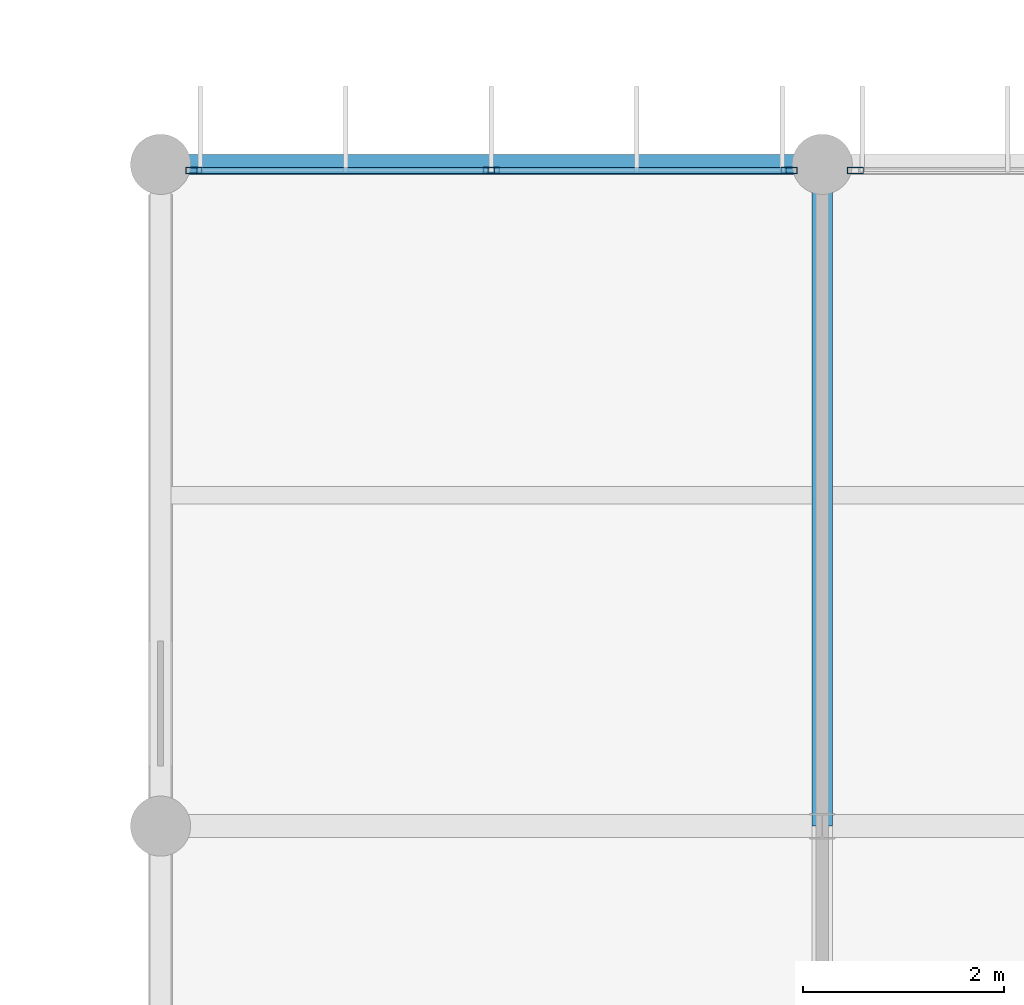
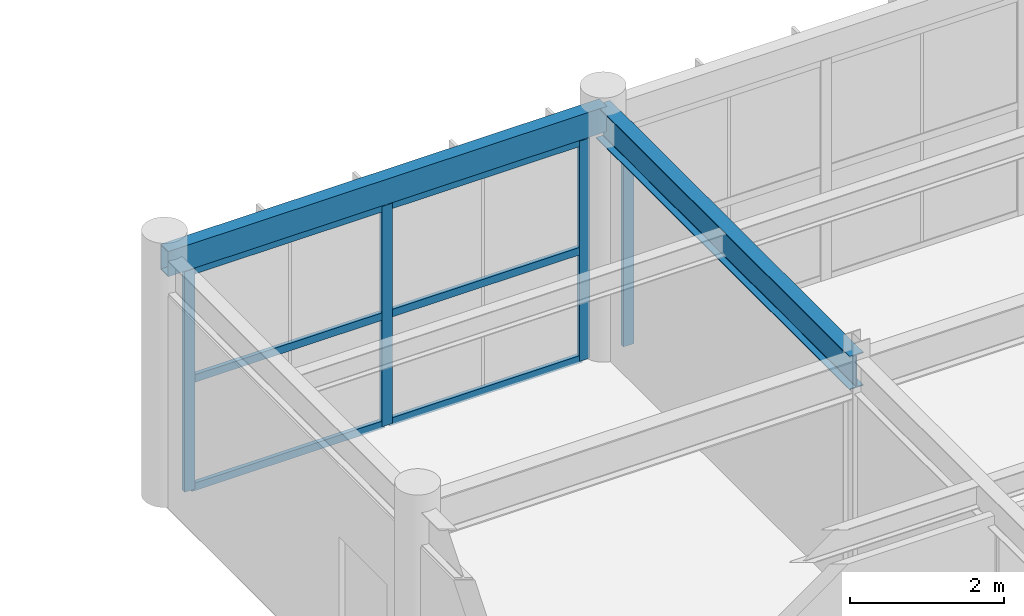
# One storey, part 19 of 66: 10 members, 2 beams, 2 elements without a shape of their own.
"""IFC4 building model written with IfcOpenShell, lengths in metres."""

from ifc_helpers import new_model, si_unit, direction, frame, origin, origin_2d, place, context, subcontext, project, spatial, hollow_rectangle, i_section, extrude, material, material_profile, profile_set, type_object, element, aggregate, save


model = new_model("IFC4")

# Units and contexts
model_context = context("Model", 3, precision=1e-05, world=origin(), true_north=direction((0.0, 1.0)))
body_context = subcontext(model_context, "Body", "Model", "MODEL_VIEW")
ifc_project = project(units=[si_unit("LENGTHUNIT", "METRE"), si_unit("AREAUNIT", "SQUARE_METRE"), si_unit("VOLUMEUNIT", "CUBIC_METRE"), si_unit("PLANEANGLEUNIT", "RADIAN"), si_unit("MASSUNIT", "GRAM", prefix="KILO")], contexts=[model_context])

# Site, building, storey
site_placement = place(None, origin())
site = spatial("IfcSite", under=ifc_project, at=site_placement, CompositionType="ELEMENT")
building_placement = place(site_placement, origin())
building = spatial("IfcBuilding", under=site, at=building_placement, Name="Karori Crest Natural Sciences Institute", CompositionType="ELEMENT")
storey_placement = place(building_placement, frame((0.0, 0.0, 30.10009765625)))
storey = spatial("IfcBuildingStorey", under=building, at=storey_placement, Name="L07", CompositionType="ELEMENT", Elevation=30.10009765625)

# Beams
ifc_material_1 = material(Name="Structural steel AS/NZS 3679.1 Grade 350", Category="steel")
ifc_material_profile_1 = material_profile(ifc_material_1, i_section(OverallWidth=0.208984375, OverallDepth=0.532958984375, WebThickness=0.01025390625, FlangeThickness=0.015625, FilletRadius=0.013916015625, at=origin_2d()), Name="530UB92.4")
ifc_profile_set_1 = profile_set([ifc_material_profile_1], Name="Structural steel AS/NZS 3679.1 Grade 350")
beam_type_1 = type_object("IfcBeamType", Name="BT-05", PredefinedType="BEAM", material=ifc_profile_set_1)
beam_1_placement = place(storey_placement, frame((110.199951171875, 14.0, 3.6533203125), z_axis=(0.0, 1.0, 0.0), x_axis=(-1.0, 0.0, 0.0)))
element("IfcBeam", 1, at=beam_1_placement, inside=storey, type_object=beam_type_1, Name="Beam B-2653", PredefinedType="BEAM", context=body_context, shape_type="SweptSolid", body=[
    extrude(i_section(OverallWidth=0.208984375, OverallDepth=0.532958984375, WebThickness=0.01025390625, FlangeThickness=0.015625, FilletRadius=0.013916015625, at=origin_2d()), origin(), (0.0, 0.0, 1.0), 6.60009765625),
])
ifc_material_2 = material(Name="Hollow structural steel AS/NZS 1163 Grade C350", Category="steel")
ifc_material_profile_2 = material_profile(ifc_material_2, hollow_rectangle(XDim=0.199951171875, YDim=0.39990234375, WallThickness=0.012451171875, at=origin_2d()), Name="RHS400x200x12.5")
ifc_profile_set_2 = profile_set([ifc_material_profile_2], Name="Hollow structural steel AS/NZS 1163 Grade C350")
beam_type_2 = type_object("IfcBeamType", Name="BT-14", PredefinedType="SPANDREL", material=ifc_profile_set_2)
beam_2_placement = place(storey_placement, frame((103.60009765625, 20.60009765625, 3.719970703125), z_axis=(1.0, 0.0, 0.0), x_axis=(0.0, 1.0, 0.0)))
element("IfcBeam", 2, at=beam_2_placement, inside=storey, type_object=beam_type_2, Name="Beam B-2640", PredefinedType="SPANDREL", context=body_context, shape_type="SweptSolid", body=[
    extrude(hollow_rectangle(XDim=0.199951171875, YDim=0.39990234375, WallThickness=0.012451171875, at=origin_2d()), origin(), (0.0, 0.0, 1.0), 6.599853515625),
])

# Curtain wall, members
ifc_material_3 = material(Name="Anodised architectural aluminium 6063-T6", Category="aluminium")
curtain_wall_type = type_object("IfcCurtainWallType", Name="CWT-20", PredefinedType="NOTDEFINED", material=ifc_material_3)
curtain_wall_1_placement = place(storey_placement, origin())
curtain_wall_1 = element("IfcCurtainWall", 3, at=curtain_wall_1_placement, inside=storey, type_object=curtain_wall_type, Name="Curtain wall CW-0357", PredefinedType="NOTDEFINED")
ifc_material_profile_3 = material_profile(ifc_material_3, hollow_rectangle(XDim=0.06494140625, YDim=0.159912109375, WallThickness=0.00390625, at=origin_2d()), Name="CWM160x65x4")
ifc_profile_set_3 = profile_set([ifc_material_profile_3], Name="Anodised architectural aluminium 6063-T6")
member_type_1 = type_object("IfcMemberType", Name="CWM-01", PredefinedType="MULLION", material=ifc_profile_set_3)
member_1_placement = place(storey_placement, frame((103.930419921875, 20.5400390625, 0.0), z_axis=(0.0, 0.0, 1.0), x_axis=(0.0, 1.0, 0.0)))
member_1 = element("IfcMember", 4, at=member_1_placement, type_object=member_type_1, Name="CW-0357 mullion 1", PredefinedType="MULLION", context=body_context, shape_type="SweptSolid", body=[
    extrude(hollow_rectangle(XDim=0.06494140625, YDim=0.159912109375, WallThickness=0.00390625, at=origin_2d()), origin(), (0.0, 0.0, 1.0), 3.5048828125),
])
member_2_placement = place(storey_placement, frame((106.89990234375, 20.5400390625, 0.0), z_axis=(0.0, 0.0, 1.0), x_axis=(0.0, 1.0, 0.0)))
member_2 = element("IfcMember", 5, at=member_2_placement, type_object=member_type_1, Name="CW-0357 mullion 2", PredefinedType="MULLION", context=body_context, shape_type="SweptSolid", body=[
    extrude(hollow_rectangle(XDim=0.06494140625, YDim=0.159912109375, WallThickness=0.00390625, at=origin_2d()), origin(), (0.0, 0.0, 1.0), 3.5048828125),
])
member_3_placement = place(storey_placement, frame((109.869384765625, 20.5400390625, 0.0), z_axis=(0.0, 0.0, 1.0), x_axis=(0.0, 1.0, 0.0)))
member_3 = element("IfcMember", 6, at=member_3_placement, type_object=member_type_1, Name="CW-0357 mullion 3", PredefinedType="MULLION", context=body_context, shape_type="SweptSolid", body=[
    extrude(hollow_rectangle(XDim=0.06494140625, YDim=0.159912109375, WallThickness=0.00390625, at=origin_2d()), origin(), (0.0, 0.0, 1.0), 3.5048828125),
])

# Curtain wall, member
curtain_wall_2_placement = place(storey_placement, origin())
curtain_wall_2 = element("IfcCurtainWall", 7, at=curtain_wall_2_placement, inside=storey, type_object=curtain_wall_type, Name="Curtain wall CW-0358", PredefinedType="NOTDEFINED")
member_4_placement = place(storey_placement, frame((110.530517578125, 20.5400390625, 0.0), z_axis=(0.0, 0.0, 1.0), x_axis=(0.0, 1.0, 0.0)))
member_4 = element("IfcMember", 8, at=member_4_placement, type_object=member_type_1, Name="CW-0358 mullion 1", PredefinedType="MULLION", context=body_context, shape_type="SweptSolid", body=[
    extrude(hollow_rectangle(XDim=0.06494140625, YDim=0.159912109375, WallThickness=0.00390625, at=origin_2d()), origin(), (0.0, 0.0, 1.0), 3.5048828125),
])
aggregate(curtain_wall_2, [member_4])

# Member
ifc_material_profile_4 = material_profile(ifc_material_3, hollow_rectangle(XDim=0.06005859375, YDim=0.1201171875, WallThickness=0.00390625, at=origin_2d()), Name="CWT120x60x4")
ifc_profile_set_4 = profile_set([ifc_material_profile_4], Name="Anodised architectural aluminium 6063-T6")
member_type_2 = type_object("IfcMemberType", Name="CWT-TR1", PredefinedType="USERDEFINED", material=ifc_profile_set_4)
member_5_placement = place(storey_placement, frame((103.962890625, 20.5400390625, 0.02978515625), z_axis=(1.0, 0.0, 0.0), x_axis=(0.0, 1.0, 0.0)))
member_5 = element("IfcMember", 9, at=member_5_placement, type_object=member_type_2, Name="CW-0357 transom 1.1", ObjectType="TRANSOM", PredefinedType="USERDEFINED", context=body_context, shape_type="SweptSolid", body=[
    extrude(hollow_rectangle(XDim=0.06005859375, YDim=0.1201171875, WallThickness=0.00390625, at=origin_2d()), origin(), (0.0, 0.0, 1.0), 2.904541015625),
])

member_6_placement = place(storey_placement, frame((103.962890625, 20.5400390625, 1.75244140625), z_axis=(1.0, 0.0, 0.0), x_axis=(0.0, 1.0, 0.0)))
member_6 = element("IfcMember", 10, at=member_6_placement, type_object=member_type_2, Name="CW-0357 transom 1.2", ObjectType="TRANSOM", PredefinedType="USERDEFINED", context=body_context, shape_type="SweptSolid", body=[
    extrude(hollow_rectangle(XDim=0.06005859375, YDim=0.1201171875, WallThickness=0.00390625, at=origin_2d()), origin(), (0.0, 0.0, 1.0), 2.904541015625),
])

member_7_placement = place(storey_placement, frame((103.962890625, 20.5400390625, 3.474853515625), z_axis=(1.0, 0.0, 0.0), x_axis=(0.0, 1.0, 0.0)))
member_7 = element("IfcMember", 11, at=member_7_placement, type_object=member_type_2, Name="CW-0357 transom 1.3", ObjectType="TRANSOM", PredefinedType="USERDEFINED", context=body_context, shape_type="SweptSolid", body=[
    extrude(hollow_rectangle(XDim=0.06005859375, YDim=0.1201171875, WallThickness=0.00390625, at=origin_2d()), origin(), (0.0, 0.0, 1.0), 2.904541015625),
])

member_8_placement = place(storey_placement, frame((106.9326171875, 20.5400390625, 0.02978515625), z_axis=(1.0, 0.0, 0.0), x_axis=(0.0, 1.0, 0.0)))
member_8 = element("IfcMember", 12, at=member_8_placement, type_object=member_type_2, Name="CW-0357 transom 2.1", ObjectType="TRANSOM", PredefinedType="USERDEFINED", context=body_context, shape_type="SweptSolid", body=[
    extrude(hollow_rectangle(XDim=0.06005859375, YDim=0.1201171875, WallThickness=0.00390625, at=origin_2d()), origin(), (0.0, 0.0, 1.0), 2.904296875),
])

member_9_placement = place(storey_placement, frame((106.9326171875, 20.5400390625, 1.75244140625), z_axis=(1.0, 0.0, 0.0), x_axis=(0.0, 1.0, 0.0)))
member_9 = element("IfcMember", 13, at=member_9_placement, type_object=member_type_2, Name="CW-0357 transom 2.2", ObjectType="TRANSOM", PredefinedType="USERDEFINED", context=body_context, shape_type="SweptSolid", body=[
    extrude(hollow_rectangle(XDim=0.06005859375, YDim=0.1201171875, WallThickness=0.00390625, at=origin_2d()), origin(), (0.0, 0.0, 1.0), 2.904296875),
])

member_10_placement = place(storey_placement, frame((106.9326171875, 20.5400390625, 3.474853515625), z_axis=(1.0, 0.0, 0.0), x_axis=(0.0, 1.0, 0.0)))
member_10 = element("IfcMember", 14, at=member_10_placement, type_object=member_type_2, Name="CW-0357 transom 2.3", ObjectType="TRANSOM", PredefinedType="USERDEFINED", context=body_context, shape_type="SweptSolid", body=[
    extrude(hollow_rectangle(XDim=0.06005859375, YDim=0.1201171875, WallThickness=0.00390625, at=origin_2d()), origin(), (0.0, 0.0, 1.0), 2.904296875),
])

aggregate(curtain_wall_1, [member_1, member_2, member_3, member_5, member_6, member_7, member_8, member_9, member_10])

save(model, "model.ifc")
